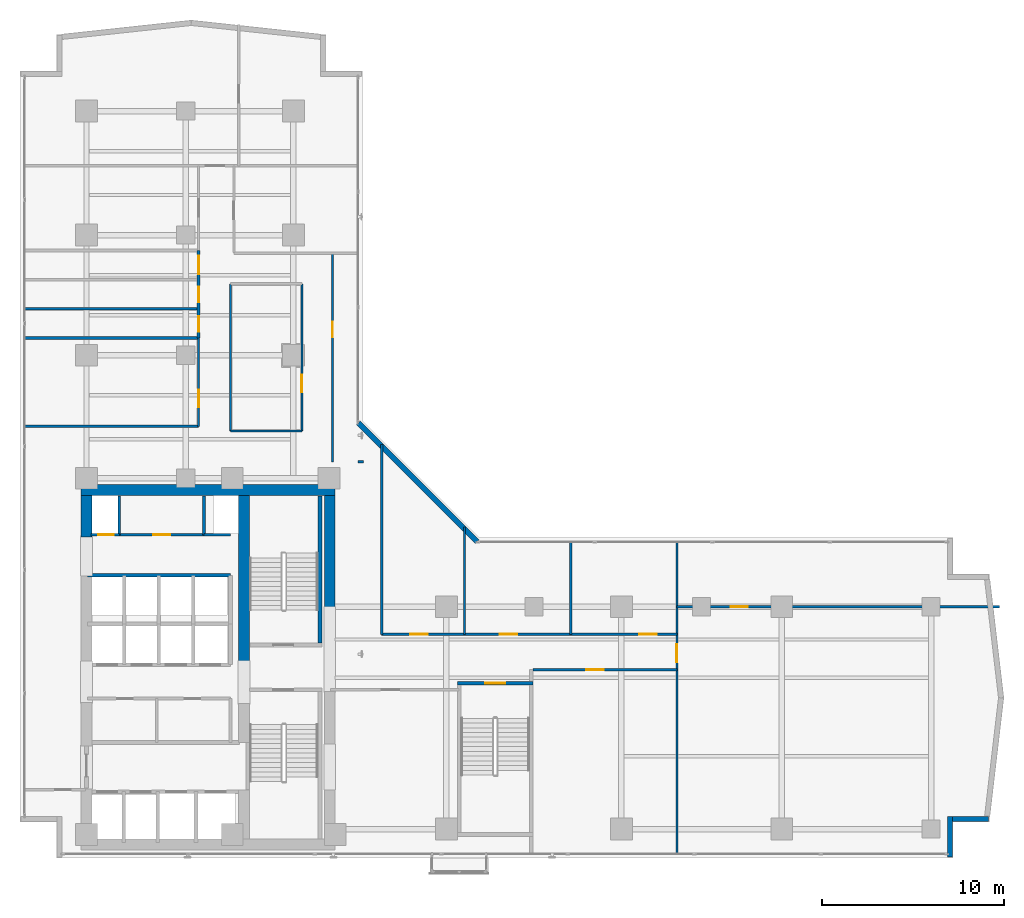
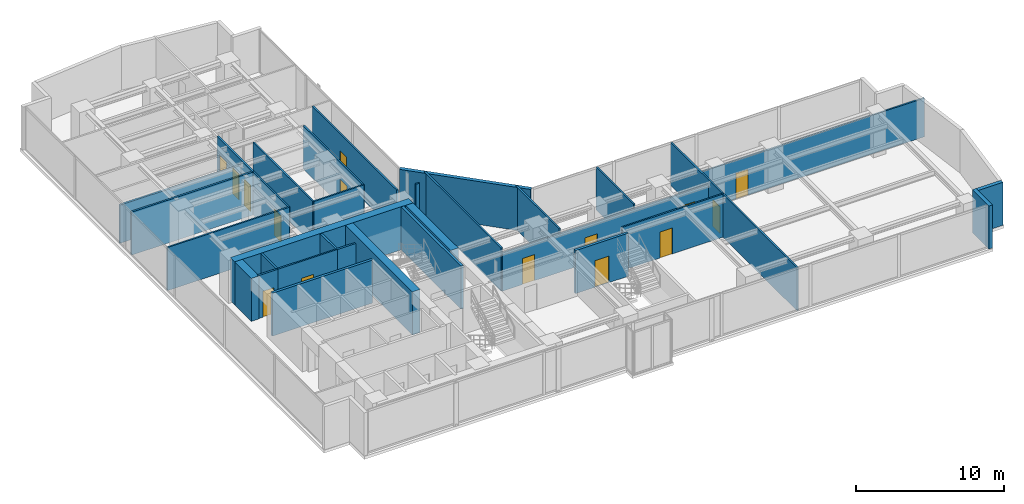
# One storey, part 20 of 24: 32 walls, 15 doors, 15 openings.
"""IFC4 building model written with IfcOpenShell, lengths in metres."""

from ifc_helpers import new_model, si_unit, direction, frame, frame_2d, origin, place, context, subcontext, project, spatial, rectangle, extrude, material, layer, layer_set, type_object, element, fill, save


model = new_model("IFC4")

# Units and contexts
model_context = context("Model", 3, precision=1e-05, world=origin(), true_north=direction((0.0, 1.0)))
body_context = subcontext(model_context, "Body", "Model", "MODEL_VIEW")
ifc_project = project(units=[si_unit("LENGTHUNIT", "METRE"), si_unit("AREAUNIT", "SQUARE_METRE"), si_unit("VOLUMEUNIT", "CUBIC_METRE"), si_unit("PLANEANGLEUNIT", "RADIAN"), si_unit("MASSUNIT", "GRAM", prefix="KILO")], contexts=[model_context])

# Site, building, storey
site_placement = place(None, origin())
site = spatial("IfcSite", under=ifc_project, at=site_placement, CompositionType="ELEMENT")
building_placement = place(site_placement, origin())
building = spatial("IfcBuilding", under=site, at=building_placement, Name="Kolvaren Waterfront Exchange", CompositionType="ELEMENT")
storey_placement = place(building_placement, frame((0.0, 0.0, 153.800048828125)))
storey = spatial("IfcBuildingStorey", under=building, at=storey_placement, Name="L39", CompositionType="ELEMENT", Elevation=153.800048828125)

# Walls
ifc_material_1 = material(Name="Precast concrete C40/50", Category="concrete")
ifc_layer_1 = layer(ifc_material_1, 0.280029296875, Name="Precast concrete C40/50")
ifc_layer_set_1 = layer_set([ifc_layer_1], Name="Precast concrete C40/50")
wall_type_1 = type_object("IfcWallType", Name="ARC-EXT-TERR-280", PredefinedType="SOLIDWALL", material=ifc_layer_set_1)
wall_1_placement = place(storey_placement, frame((54.840087890625, 3.659912109375, 0.0), z_axis=(0.0, 0.0, 1.0), x_axis=(0.0, 1.0, 0.0)))
element("IfcWall", 1, at=wall_1_placement, inside=storey, type_object=wall_type_1, Name="L39 notched corner spandrel pier SE-A", PredefinedType="SOLIDWALL", context=body_context, shape_type="SweptSolid", body=[
    extrude(rectangle(XDim=2.239990234375, YDim=0.280029296875, at=frame_2d((1.1201171875, 0.0))), origin(), (0.0, 0.0, 1.0), 3.56005859375),
])
wall_2_placement = place(storey_placement, frame((54.97998046875, 5.760009765625, 0.0), z_axis=(0.0, 0.0, 1.0), x_axis=(1.0, 0.0, 0.0)))
element("IfcWall", 2, at=wall_2_placement, inside=storey, type_object=wall_type_1, Name="L39 notched corner spandrel pier SE-B", PredefinedType="SOLIDWALL", context=body_context, shape_type="SweptSolid", body=[
    extrude(rectangle(XDim=1.9599609375, YDim=0.280029296875, at=frame_2d((0.97998046875, 0.0))), origin(), (0.0, 0.0, 1.0), 3.56005859375),
])
wall_3_placement = place(storey_placement, frame((28.885009765625, 20.97509765625, 0.0), z_axis=(0.0, 0.0, 1.0), x_axis=(-0.707106781187, 0.707106781187, 0.0)))
element("IfcWall", 3, at=wall_3_placement, inside=storey, type_object=wall_type_1, Name="L39 notched corner spandrel pier ELBOW", PredefinedType="SOLIDWALL", context=body_context, shape_type="SweptSolid", body=[
    extrude(rectangle(XDim=9.20654296875, YDim=0.280029296875, at=frame_2d((4.603271484375, 0.0))), origin(), (0.0, 0.0, 1.0), 3.56005859375),
])

# Wall, opening, door
ifc_material_2 = material(Name="Acoustic gypsum steel stud", Category="steel")
ifc_layer_2 = layer(ifc_material_2, 0.125, Name="Acoustic gypsum steel stud")
ifc_layer_set_2 = layer_set([ifc_layer_2], Name="Acoustic gypsum steel stud")
wall_type_2 = type_object("IfcWallType", Name="ARC-PART-125", PredefinedType="PARTITIONING", material=ifc_layer_set_2)
wall_4_placement = place(storey_placement, frame((9.25, 21.35009765625, 0.0), z_axis=(0.0, 0.0, 1.0), x_axis=(1.0, 0.0, 0.0)))
wall_4 = element("IfcWall", 4, at=wall_4_placement, inside=storey, type_object=wall_type_2, Name="L39 interior wall PW-L39-SVC-EX-S", PredefinedType="PARTITIONING", context=body_context, shape_type="SweptSolid", body=[
    extrude(rectangle(XDim=4.64990234375, YDim=0.125, at=frame_2d((2.324951171875, 0.0))), origin(), (0.0, 0.0, 1.0), 3.56005859375),
])
opening_1_placement = place(wall_4_placement, frame((1.85009765625, 0.0, 0.0)))
opening_1 = element("IfcOpeningElement", 5, at=opening_1_placement, cuts=wall_4, Name="Opening D02", PredefinedType="OPENING", context=body_context, shape_type="SweptSolid", body=[
    extrude(rectangle(XDim=0.949951171875, YDim=2.14990234375, at=frame_2d((0.47509765625, 1.074951171875))), frame((0.0, 0.072509765625, 0.0), z_axis=(0.0, -1.0, 0.0), x_axis=(1.0, 0.0, 0.0)), (0.0, 0.0, 1.0), 0.14501953125),
])
ifc_material_3 = material(Name="Oak veneer acoustic timber", Category="wood")
door_type_1 = type_object("IfcDoorType", Name="ARC-DR-950", OperationType="NOTDEFINED", PredefinedType="DOOR", material=ifc_material_3)
door_1_placement = place(opening_1_placement, origin())
door_1 = element("IfcDoor", 6, at=door_1_placement, inside=storey, type_object=door_type_1, Name="L39 door DR-L39-SVC-DR-1 (D02)", OperationType="SINGLE_SWING_RIGHT", OverallHeight=2.14990234375, OverallWidth=0.949951171875, PredefinedType="DOOR", context=body_context, shape_type="SweptSolid", body=[
    extrude(rectangle(XDim=0.949951171875, YDim=2.14990234375, at=frame_2d((0.47509765625, 1.074951171875))), frame((0.0, 0.02490234375, 0.0), z_axis=(0.0, -1.0, 0.0), x_axis=(1.0, 0.0, 0.0)), (0.0, 0.0, 1.0), 0.050048828125),
])
fill(opening_1, door_1)

# Walls
wall_5_placement = place(storey_placement, frame((15.35009765625, 27.050048828125, 0.0), z_axis=(0.0, 0.0, 1.0), x_axis=(1.0, 0.0, 0.0)))
element("IfcWall", 7, at=wall_5_placement, inside=storey, type_object=wall_type_2, Name="L39 interior wall PW-L39-ISL-S", PredefinedType="PARTITIONING", context=body_context, shape_type="SweptSolid", body=[
    extrude(rectangle(XDim=3.919921875, YDim=0.125, at=frame_2d((1.9599609375, 0.0))), origin(), (0.0, 0.0, 1.0), 3.56005859375),
])
wall_6_placement = place(storey_placement, frame((15.35009765625, 27.050048828125, 0.0), z_axis=(0.0, 0.0, 1.0), x_axis=(0.0, 1.0, 0.0)))
element("IfcWall", 8, at=wall_6_placement, inside=storey, type_object=wall_type_2, Name="L39 interior wall PW-L39-ISL-W", PredefinedType="PARTITIONING", context=body_context, shape_type="SweptSolid", body=[
    extrude(rectangle(XDim=8.070068359375, YDim=0.125, at=frame_2d((4.03515625, 0.0))), origin(), (0.0, 0.0, 1.0), 3.56005859375),
])

# Wall, opening, door
wall_7_placement = place(storey_placement, frame((19.27001953125, 27.050048828125, 0.0), z_axis=(0.0, 0.0, 1.0), x_axis=(0.0, 1.0, 0.0)))
wall_7 = element("IfcWall", 9, at=wall_7_placement, inside=storey, type_object=wall_type_2, Name="L39 interior wall PW-L39-ISL-E", PredefinedType="PARTITIONING", context=body_context, shape_type="SweptSolid", body=[
    extrude(rectangle(XDim=8.070068359375, YDim=0.125, at=frame_2d((4.03515625, 0.0))), origin(), (0.0, 0.0, 1.0), 3.56005859375),
])
opening_2_placement = place(wall_7_placement, frame((2.126708984375, 0.0, 0.0)))
opening_2 = element("IfcOpeningElement", 10, at=opening_2_placement, cuts=wall_7, Name="Opening D02", PredefinedType="OPENING", context=body_context, shape_type="SweptSolid", body=[
    extrude(rectangle(XDim=0.949951171875, YDim=2.14990234375, at=frame_2d((0.47509765625, 1.074951171875))), frame((0.0, 0.072509765625, 0.0), z_axis=(0.0, -1.0, 0.0), x_axis=(1.0, 0.0, 0.0)), (0.0, 0.0, 1.0), 0.14501953125),
])
door_2_placement = place(opening_2_placement, origin())
door_2 = element("IfcDoor", 11, at=door_2_placement, inside=storey, type_object=door_type_1, Name="L39 door DR-L39-ISL-D (D02)", OperationType="SINGLE_SWING_LEFT", OverallHeight=2.14990234375, OverallWidth=0.949951171875, PredefinedType="DOOR", context=body_context, shape_type="SweptSolid", body=[
    extrude(rectangle(XDim=0.949951171875, YDim=2.14990234375, at=frame_2d((0.47509765625, 1.074951171875))), frame((0.0, 0.02490234375, 0.0), z_axis=(0.0, -1.0, 0.0), x_axis=(1.0, 0.0, 0.0)), (0.0, 0.0, 1.0), 0.050048828125),
])
fill(opening_2, door_2)

wall_8_placement = place(storey_placement, frame((13.60009765625, 27.300048828125, 0.0), z_axis=(0.0, 0.0, 1.0), x_axis=(0.0, 1.0, 0.0)))
wall_8 = element("IfcWall", 12, at=wall_8_placement, inside=storey, type_object=wall_type_2, Name="L39 interior wall PW-L39-PREWC-E", PredefinedType="PARTITIONING", context=body_context, shape_type="SweptSolid", body=[
    extrude(rectangle(XDim=4.849853515625, YDim=0.125, at=frame_2d((2.4248046875, 0.0))), origin(), (0.0, 0.0, 1.0), 3.56005859375),
])
opening_3_placement = place(wall_8_placement, frame((1.050048828125, 0.0, 0.0)))
opening_3 = element("IfcOpeningElement", 13, at=opening_3_placement, cuts=wall_8, Name="Opening D02", PredefinedType="OPENING", context=body_context, shape_type="SweptSolid", body=[
    extrude(rectangle(XDim=0.949951171875, YDim=2.14990234375, at=frame_2d((0.47509765625, 1.074951171875))), frame((0.0, 0.072509765625, 0.0), z_axis=(0.0, -1.0, 0.0), x_axis=(1.0, 0.0, 0.0)), (0.0, 0.0, 1.0), 0.14501953125),
])
door_3_placement = place(opening_3_placement, origin())
door_3 = element("IfcDoor", 14, at=door_3_placement, inside=storey, type_object=door_type_1, Name="L39 door DR-L39-PREWC-D (D02)", OperationType="SINGLE_SWING_RIGHT", OverallHeight=2.14990234375, OverallWidth=0.949951171875, PredefinedType="DOOR", context=body_context, shape_type="SweptSolid", body=[
    extrude(rectangle(XDim=0.949951171875, YDim=2.14990234375, at=frame_2d((0.47509765625, 1.074951171875))), frame((0.0, 0.02490234375, 0.0), z_axis=(0.0, -1.0, 0.0), x_axis=(1.0, 0.0, 0.0)), (0.0, 0.0, 1.0), 0.050048828125),
])
fill(opening_3, door_3)

# Wall
wall_9_placement = place(storey_placement, frame((4.0400390625, 27.300048828125, 0.0), z_axis=(0.0, 0.0, 1.0), x_axis=(1.0, 0.0, 0.0)))
element("IfcWall", 15, at=wall_9_placement, inside=storey, type_object=wall_type_2, Name="L39 interior wall PW-L39-PREWC-S", PredefinedType="PARTITIONING", context=body_context, shape_type="SweptSolid", body=[
    extrude(rectangle(XDim=9.56005859375, YDim=0.125, at=frame_2d((4.780029296875, 0.0))), origin(), (0.0, 0.0, 1.0), 3.56005859375),
])

# Wall, opening, door
wall_10_placement = place(storey_placement, frame((20.949951171875, 25.35009765625, 0.0), z_axis=(0.0, 0.0, 1.0), x_axis=(0.0, 1.0, 0.0)))
wall_10 = element("IfcWall", 16, at=wall_10_placement, inside=storey, type_object=wall_type_2, Name="L39 interior wall PW-L39-RFLANK-W", PredefinedType="PARTITIONING", context=body_context, shape_type="SweptSolid", body=[
    extrude(rectangle(XDim=11.449951171875, YDim=0.125, at=frame_2d((5.72509765625, 0.0))), origin(), (0.0, 0.0, 1.0), 3.56005859375),
])
opening_4_placement = place(wall_10_placement, frame((6.834716796875, 0.0, 0.0)))
opening_4 = element("IfcOpeningElement", 17, at=opening_4_placement, cuts=wall_10, Name="Opening D01", PredefinedType="OPENING", context=body_context, shape_type="SweptSolid", body=[
    extrude(rectangle(XDim=0.85009765625, YDim=2.14990234375, at=frame_2d((0.425048828125, 1.074951171875))), frame((0.0, 0.072509765625, 0.0), z_axis=(0.0, -1.0, 0.0), x_axis=(1.0, 0.0, 0.0)), (0.0, 0.0, 1.0), 0.14501953125),
])
ifc_material_4 = material(Name="Oak veneer timber leaf", Category="wood")
door_type_2 = type_object("IfcDoorType", Name="ARC-DR-900", OperationType="NOTDEFINED", PredefinedType="DOOR", material=ifc_material_4)
door_4_placement = place(opening_4_placement, origin())
door_4 = element("IfcDoor", 18, at=door_4_placement, inside=storey, type_object=door_type_2, Name="L39 door DR-L39-RFLANK-D (D01)", OperationType="SINGLE_SWING_RIGHT", OverallHeight=2.14990234375, OverallWidth=0.85009765625, PredefinedType="DOOR", context=body_context, shape_type="SweptSolid", body=[
    extrude(rectangle(XDim=0.85009765625, YDim=2.14990234375, at=frame_2d((0.425048828125, 1.074951171875))), frame((0.0, 0.02490234375, 0.0), z_axis=(0.0, -1.0, 0.0), x_axis=(1.0, 0.0, 0.0)), (0.0, 0.0, 1.0), 0.050048828125),
])
fill(opening_4, door_4)

# Wall
wall_11_placement = place(storey_placement, frame((22.64990234375, 25.35009765625, 0.0), z_axis=(0.0, 0.0, 1.0), x_axis=(-1.0, 0.0, 0.0)))
element("IfcWall", 19, at=wall_11_placement, inside=storey, type_object=wall_type_2, Name="L39 interior wall PW-L39-RFLANK-S", PredefinedType="PARTITIONING", context=body_context, shape_type="SweptSolid", body=[
    extrude(rectangle(XDim=0.289794921875, YDim=0.125, at=frame_2d((0.14501953125, 0.0))), origin(), (0.0, 0.0, 1.0), 3.56005859375),
])

# Wall, opening, door
wall_12_placement = place(storey_placement, frame((31.949951171875, 13.949951171875, 0.0), z_axis=(0.0, 0.0, 1.0), x_axis=(1.0, 0.0, 0.0)))
wall_12 = element("IfcWall", 20, at=wall_12_placement, inside=storey, type_object=wall_type_2, Name="L39 interior wall PW-L39-ES-CORR", PredefinedType="PARTITIONING", context=body_context, shape_type="SweptSolid", body=[
    extrude(rectangle(XDim=7.900146484375, YDim=0.125, at=frame_2d((3.9501953125, 0.0))), origin(), (0.0, 0.0, 1.0), 3.56005859375),
])
opening_5_placement = place(wall_12_placement, frame((2.9296875, 0.0, 0.0)))
opening_5 = element("IfcOpeningElement", 21, at=opening_5_placement, cuts=wall_12, Name="Opening D02", PredefinedType="OPENING", context=body_context, shape_type="SweptSolid", body=[
    extrude(rectangle(XDim=0.949951171875, YDim=2.14990234375, at=frame_2d((0.47509765625, 1.074951171875))), frame((0.0, 0.072509765625, 0.0), z_axis=(0.0, -1.0, 0.0), x_axis=(1.0, 0.0, 0.0)), (0.0, 0.0, 1.0), 0.14501953125),
])
door_5_placement = place(opening_5_placement, origin())
door_5 = element("IfcDoor", 22, at=door_5_placement, inside=storey, type_object=door_type_1, Name="L39 door DR-L39-ES-D-1 (D02)", OperationType="SINGLE_SWING_LEFT", OverallHeight=2.14990234375, OverallWidth=0.949951171875, PredefinedType="DOOR", context=body_context, shape_type="SweptSolid", body=[
    extrude(rectangle(XDim=0.949951171875, YDim=2.14990234375, at=frame_2d((0.47509765625, 1.074951171875))), frame((0.0, 0.02490234375, 0.0), z_axis=(0.0, -1.0, 0.0), x_axis=(1.0, 0.0, 0.0)), (0.0, 0.0, 1.0), 0.050048828125),
])
fill(opening_5, door_5)

wall_13_placement = place(storey_placement, frame((39.85009765625, 3.840087890625, 0.0), z_axis=(0.0, 0.0, 1.0), x_axis=(0.0, 1.0, 0.0)))
wall_13 = element("IfcWall", 23, at=wall_13_placement, inside=storey, type_object=wall_type_2, Name="L39 interior wall PW-L39-ETIP-W", PredefinedType="PARTITIONING", context=body_context, shape_type="SweptSolid", body=[
    extrude(rectangle(XDim=17.119873046875, YDim=0.125, at=frame_2d((8.56005859375, 0.0))), origin(), (0.0, 0.0, 1.0), 3.56005859375),
])
opening_6_placement = place(wall_13_placement, frame((10.510009765625, 0.0, 0.0)))
opening_6 = element("IfcOpeningElement", 24, at=opening_6_placement, cuts=wall_13, Name="Opening D03", PredefinedType="OPENING", context=body_context, shape_type="SweptSolid", body=[
    extrude(rectangle(XDim=1.0, YDim=2.199951171875, at=frame_2d((0.5, 1.10009765625))), frame((0.0, 0.072509765625, 0.0), z_axis=(0.0, -1.0, 0.0), x_axis=(1.0, 0.0, 0.0)), (0.0, 0.0, 1.0), 0.14501953125),
])
ifc_material_5 = material(Name="Oak veneer accessible timber", Category="wood")
door_type_3 = type_object("IfcDoorType", Name="ARC-DR-1000", OperationType="NOTDEFINED", PredefinedType="DOOR", material=ifc_material_5)
door_6_placement = place(opening_6_placement, origin())
door_6 = element("IfcDoor", 25, at=door_6_placement, inside=storey, type_object=door_type_3, Name="L39 door DR-L39-ETIP1-D (D03)", OperationType="SINGLE_SWING_RIGHT", OverallHeight=2.199951171875, OverallWidth=1.0, PredefinedType="DOOR", context=body_context, shape_type="SweptSolid", body=[
    extrude(rectangle(XDim=1.0, YDim=2.199951171875, at=frame_2d((0.5, 1.10009765625))), frame((0.0, 0.02490234375, 0.0), z_axis=(0.0, -1.0, 0.0), x_axis=(1.0, 0.0, 0.0)), (0.0, 0.0, 1.0), 0.050048828125),
])
fill(opening_6, door_6)

wall_14_placement = place(storey_placement, frame((39.85009765625, 17.39990234375, 0.0), z_axis=(0.0, 0.0, 1.0), x_axis=(1.0, 0.0, 0.0)))
wall_14 = element("IfcWall", 26, at=wall_14_placement, inside=storey, type_object=wall_type_2, Name="L39 interior wall PW-L39-ETIP-MID", PredefinedType="PARTITIONING", context=body_context, shape_type="SweptSolid", body=[
    extrude(rectangle(XDim=17.7099609375, YDim=0.125, at=frame_2d((8.85498046875, 0.0))), origin(), (0.0, 0.0, 1.0), 3.199951171875),
])
opening_7_placement = place(wall_14_placement, frame((2.949951171875, 0.0, 0.0)))
opening_7 = element("IfcOpeningElement", 27, at=opening_7_placement, cuts=wall_14, Name="Opening D02", PredefinedType="OPENING", context=body_context, shape_type="SweptSolid", body=[
    extrude(rectangle(XDim=0.949951171875, YDim=2.14990234375, at=frame_2d((0.47509765625, 1.074951171875))), frame((0.0, 0.072509765625, 0.0), z_axis=(0.0, -1.0, 0.0), x_axis=(1.0, 0.0, 0.0)), (0.0, 0.0, 1.0), 0.14501953125),
])
door_7_placement = place(opening_7_placement, origin())
door_7 = element("IfcDoor", 28, at=door_7_placement, inside=storey, type_object=door_type_1, Name="L39 door DR-L39-ETIP2-D (D02)", OperationType="SINGLE_SWING_LEFT", OverallHeight=2.14990234375, OverallWidth=0.949951171875, PredefinedType="DOOR", context=body_context, shape_type="SweptSolid", body=[
    extrude(rectangle(XDim=0.949951171875, YDim=2.14990234375, at=frame_2d((0.47509765625, 1.074951171875))), frame((0.0, 0.02490234375, 0.0), z_axis=(0.0, -1.0, 0.0), x_axis=(1.0, 0.0, 0.0)), (0.0, 0.0, 1.0), 0.050048828125),
])
fill(opening_7, door_7)

# Wall
wall_15_placement = place(storey_placement, frame((23.64990234375, 15.889892578125, 0.0), z_axis=(0.0, 0.0, 1.0), x_axis=(0.0, 1.0, 0.0)))
element("IfcWall", 29, at=wall_15_placement, inside=storey, type_object=wall_type_2, Name="L39 interior wall PW-L39-EN-W0", PredefinedType="PARTITIONING", context=body_context, shape_type="SweptSolid", body=[
    extrude(rectangle(XDim=10.420166015625, YDim=0.125, at=frame_2d((5.2099609375, 0.0))), origin(), (0.0, 0.0, 1.0), 3.56005859375),
])

# Wall, openings, doors
wall_16_placement = place(storey_placement, frame((23.64990234375, 15.889892578125, 0.0), z_axis=(0.0, 0.0, 1.0), x_axis=(1.0, 0.0, 0.0)))
wall_16 = element("IfcWall", 30, at=wall_16_placement, inside=storey, type_object=wall_type_2, Name="L39 interior wall PW-L39-EN-CORR", PredefinedType="PARTITIONING", context=body_context, shape_type="SweptSolid", body=[
    extrude(rectangle(XDim=16.2001953125, YDim=0.125, at=frame_2d((8.10009765625, 0.0))), origin(), (0.0, 0.0, 1.0), 3.159912109375),
])
opening_8_placement = place(wall_16_placement, frame((1.57470703125, 0.0, 0.0)))
opening_8 = element("IfcOpeningElement", 31, at=opening_8_placement, cuts=wall_16, Name="Opening D02", PredefinedType="OPENING", context=body_context, shape_type="SweptSolid", body=[
    extrude(rectangle(XDim=0.949951171875, YDim=2.14990234375, at=frame_2d((0.47509765625, 1.074951171875))), frame((0.0, 0.072509765625, 0.0), z_axis=(0.0, -1.0, 0.0), x_axis=(1.0, 0.0, 0.0)), (0.0, 0.0, 1.0), 0.14501953125),
])
opening_9_placement = place(wall_16_placement, frame((6.487548828125, 0.0, 0.0)))
opening_9 = element("IfcOpeningElement", 32, at=opening_9_placement, cuts=wall_16, Name="Opening D02", PredefinedType="OPENING", context=body_context, shape_type="SweptSolid", body=[
    extrude(rectangle(XDim=0.949951171875, YDim=2.14990234375, at=frame_2d((0.47509765625, 1.074951171875))), frame((0.0, 0.072509765625, 0.0), z_axis=(0.0, -1.0, 0.0), x_axis=(1.0, 0.0, 0.0)), (0.0, 0.0, 1.0), 0.14501953125),
])
opening_10_placement = place(wall_16_placement, frame((14.146484375, 0.0, 0.0)))
opening_10 = element("IfcOpeningElement", 33, at=opening_10_placement, cuts=wall_16, Name="Opening D02", PredefinedType="OPENING", context=body_context, shape_type="SweptSolid", body=[
    extrude(rectangle(XDim=0.949951171875, YDim=2.14990234375, at=frame_2d((0.47509765625, 1.074951171875))), frame((0.0, 0.072509765625, 0.0), z_axis=(0.0, -1.0, 0.0), x_axis=(1.0, 0.0, 0.0)), (0.0, 0.0, 1.0), 0.14501953125),
])
door_8_placement = place(opening_8_placement, origin())
door_8 = element("IfcDoor", 34, at=door_8_placement, inside=storey, type_object=door_type_1, Name="L39 door DR-L39-EN-D-1 (D02)", OperationType="SINGLE_SWING_RIGHT", OverallHeight=2.14990234375, OverallWidth=0.949951171875, PredefinedType="DOOR", context=body_context, shape_type="SweptSolid", body=[
    extrude(rectangle(XDim=0.949951171875, YDim=2.14990234375, at=frame_2d((0.47509765625, 1.074951171875))), frame((0.0, 0.02490234375, 0.0), z_axis=(0.0, -1.0, 0.0), x_axis=(1.0, 0.0, 0.0)), (0.0, 0.0, 1.0), 0.050048828125),
])
fill(opening_8, door_8)
door_9_placement = place(opening_9_placement, origin())
door_9 = element("IfcDoor", 35, at=door_9_placement, inside=storey, type_object=door_type_1, Name="L39 door DR-L39-EN-D-2 (D02)", OperationType="SINGLE_SWING_LEFT", OverallHeight=2.14990234375, OverallWidth=0.949951171875, PredefinedType="DOOR", context=body_context, shape_type="SweptSolid", body=[
    extrude(rectangle(XDim=0.949951171875, YDim=2.14990234375, at=frame_2d((0.47509765625, 1.074951171875))), frame((0.0, 0.02490234375, 0.0), z_axis=(0.0, -1.0, 0.0), x_axis=(1.0, 0.0, 0.0)), (0.0, 0.0, 1.0), 0.050048828125),
])
fill(opening_9, door_9)
door_10_placement = place(opening_10_placement, origin())
door_10 = element("IfcDoor", 36, at=door_10_placement, inside=storey, type_object=door_type_1, Name="L39 door DR-L39-EN-D-3 (D02)", OperationType="SINGLE_SWING_RIGHT", OverallHeight=2.14990234375, OverallWidth=0.949951171875, PredefinedType="DOOR", context=body_context, shape_type="SweptSolid", body=[
    extrude(rectangle(XDim=0.949951171875, YDim=2.14990234375, at=frame_2d((0.47509765625, 1.074951171875))), frame((0.0, 0.02490234375, 0.0), z_axis=(0.0, -1.0, 0.0), x_axis=(1.0, 0.0, 0.0)), (0.0, 0.0, 1.0), 0.050048828125),
])
fill(opening_10, door_10)

# Walls
wall_17_placement = place(storey_placement, frame((28.18994140625, 15.889892578125, 0.0), z_axis=(0.0, 0.0, 1.0), x_axis=(0.0, 1.0, 0.0)))
element("IfcWall", 37, at=wall_17_placement, inside=storey, type_object=wall_type_2, Name="L39 interior wall PW-L39-EN-DIV-1", PredefinedType="PARTITIONING", context=body_context, shape_type="SweptSolid", body=[
    extrude(rectangle(XDim=5.880126953125, YDim=0.125, at=frame_2d((2.93994140625, 0.0))), origin(), (0.0, 0.0, 1.0), 3.56005859375),
])
wall_18_placement = place(storey_placement, frame((34.02001953125, 15.889892578125, 0.0), z_axis=(0.0, 0.0, 1.0), x_axis=(0.0, 1.0, 0.0)))
element("IfcWall", 38, at=wall_18_placement, inside=storey, type_object=wall_type_2, Name="L39 interior wall PW-L39-EN-DIV-2", PredefinedType="PARTITIONING", context=body_context, shape_type="SweptSolid", body=[
    extrude(rectangle(XDim=5.070068359375, YDim=0.125, at=frame_2d((2.53515625, 0.0))), origin(), (0.0, 0.0, 1.0), 3.56005859375),
])
ifc_material_6 = material(Name="Gypsum fireboard steel stud", Category="steel")
ifc_layer_3 = layer(ifc_material_6, 0.14990234375, Name="Gypsum fireboard steel stud")
ifc_layer_set_3 = layer_set([ifc_layer_3], Name="Gypsum fireboard steel stud")
wall_type_3 = type_object("IfcWallType", Name="ARC-PART-150", PredefinedType="PARTITIONING", material=ifc_layer_set_3)
for number, where, z_axis, x_axis, name in (
    (39, (9.25, 21.35009765625, 0.0), (0.0, 0.0, 1.0), (0.0, 1.0, 0.0), "L39 interior wall PW-L39-SVC-R1"),
    (40, (13.89990234375, 21.35009765625, 0.0), (0.0, 0.0, 1.0), (0.0, 1.0, 0.0), "L39 interior wall PW-L39-SVC-R2"),
):
    element("IfcWall", number, at=place(storey_placement, frame(where, z_axis=z_axis, x_axis=x_axis)), inside=storey, type_object=wall_type_3, Name=name, PredefinedType="PARTITIONING", context=body_context, shape_type="SweptSolid", body=[
        extrude(rectangle(XDim=2.1298828125, YDim=0.14990234375, at=frame_2d((1.06494140625, 0.0))), origin(), (0.0, 0.0, 1.0), 3.56005859375),
    ])

# Wall, opening, door
wall_19_placement = place(storey_placement, frame((7.699951171875, 21.35009765625, 0.0), z_axis=(0.0, 0.0, 1.0), x_axis=(1.0, 0.0, 0.0)))
wall_19 = element("IfcWall", 41, at=wall_19_placement, inside=storey, type_object=wall_type_3, Name="L39 interior wall PW-L39-SVC-RE-S", PredefinedType="PARTITIONING", context=body_context, shape_type="SweptSolid", body=[
    extrude(rectangle(XDim=1.550048828125, YDim=0.14990234375, at=frame_2d((0.77490234375, 0.0))), origin(), (0.0, 0.0, 1.0), 3.56005859375),
])
opening_11_placement = place(wall_19_placement, frame((0.389892578125, 0.0, 0.0)))
opening_11 = element("IfcOpeningElement", 42, at=opening_11_placement, cuts=wall_19, Name="Opening FD1", PredefinedType="OPENING", context=body_context, shape_type="SweptSolid", body=[
    extrude(rectangle(XDim=0.85009765625, YDim=2.14990234375, at=frame_2d((0.425048828125, 1.074951171875))), frame((0.0, 0.0849609375, 0.0), z_axis=(0.0, -1.0, 0.0), x_axis=(1.0, 0.0, 0.0)), (0.0, 0.0, 1.0), 0.169921875),
])
ifc_material_7 = material(Name="Pressed steel fire leaf", Category="steel")
door_type_4 = type_object("IfcDoorType", Name="ARC-FD-900", OperationType="NOTDEFINED", PredefinedType="DOOR", material=ifc_material_7)
door_11_placement = place(opening_11_placement, origin())
door_11 = element("IfcDoor", 43, at=door_11_placement, inside=storey, type_object=door_type_4, Name="L39 door DR-L39-RISER-E-DR (FD1)", OperationType="SINGLE_SWING_LEFT", OverallHeight=2.14990234375, OverallWidth=0.85009765625, PredefinedType="DOOR", context=body_context, shape_type="SweptSolid", body=[
    extrude(rectangle(XDim=0.85009765625, YDim=2.14990234375, at=frame_2d((0.425048828125, 1.074951171875))), frame((0.0, 0.02490234375, 0.0), z_axis=(0.0, -1.0, 0.0), x_axis=(1.0, 0.0, 0.0)), (0.0, 0.0, 1.0), 0.050048828125),
])
fill(opening_11, door_11)

# Walls
wall_20_placement = place(storey_placement, frame((13.89990234375, 21.35009765625, 0.0), z_axis=(0.0, 0.0, 1.0), x_axis=(1.0, 0.0, 0.0)))
element("IfcWall", 44, at=wall_20_placement, inside=storey, type_object=wall_type_3, Name="L39 interior wall PW-L39-SVC-RP-S", PredefinedType="PARTITIONING", context=body_context, shape_type="SweptSolid", body=[
    extrude(rectangle(XDim=1.4501953125, YDim=0.14990234375, at=frame_2d((0.72509765625, 0.0))), origin(), (0.0, 0.0, 1.0), 3.56005859375),
])
ifc_material_8 = material(Name="Moisture-resistant gypsum stud")
ifc_layer_4 = layer(ifc_material_8, 0.14990234375, Name="Moisture-resistant gypsum stud")
ifc_layer_set_4 = layer_set([ifc_layer_4], Name="Moisture-resistant gypsum stud")
wall_type_4 = type_object("IfcWallType", Name="ARC-PLUMB-150", PredefinedType="PLUMBINGWALL", material=ifc_layer_set_4)
wall_21_placement = place(storey_placement, frame((4.0400390625, 32.14990234375, 0.0), z_axis=(0.0, 0.0, 1.0), x_axis=(1.0, 0.0, 0.0)))
element("IfcWall", 45, at=wall_21_placement, inside=storey, type_object=wall_type_4, Name="L39 interior wall PW-L39-WC-0", PredefinedType="PLUMBINGWALL", context=body_context, shape_type="SweptSolid", body=[
    extrude(rectangle(XDim=9.56005859375, YDim=0.14990234375, at=frame_2d((4.780029296875, 0.0))), origin(), (0.0, 0.0, 1.0), 3.56005859375),
])

# Wall, openings, doors
wall_22_placement = place(storey_placement, frame((13.60009765625, 32.14990234375, 0.0), z_axis=(0.0, 0.0, 1.0), x_axis=(0.0, 1.0, 0.0)))
wall_22 = element("IfcWall", 46, at=wall_22_placement, inside=storey, type_object=wall_type_4, Name="L39 interior wall PW-L39-WC-E", PredefinedType="PLUMBINGWALL", context=body_context, shape_type="SweptSolid", body=[
    extrude(rectangle(XDim=4.800048828125, YDim=0.14990234375, at=frame_2d((2.39990234375, 0.0))), origin(), (0.0, 0.0, 1.0), 3.56005859375),
])
opening_12_placement = place(wall_22_placement, frame((0.35009765625, 0.0, 0.0)))
opening_12 = element("IfcOpeningElement", 47, at=opening_12_placement, cuts=wall_22, Name="Opening D01", PredefinedType="OPENING", context=body_context, shape_type="SweptSolid", body=[
    extrude(rectangle(XDim=0.85009765625, YDim=2.14990234375, at=frame_2d((0.425048828125, 1.074951171875))), frame((0.0, 0.0849609375, 0.0), z_axis=(0.0, -1.0, 0.0), x_axis=(1.0, 0.0, 0.0)), (0.0, 0.0, 1.0), 0.169921875),
])
opening_13_placement = place(wall_22_placement, frame((1.949951171875, 0.0, 0.0)))
opening_13 = element("IfcOpeningElement", 48, at=opening_13_placement, cuts=wall_22, Name="Opening D01", PredefinedType="OPENING", context=body_context, shape_type="SweptSolid", body=[
    extrude(rectangle(XDim=0.85009765625, YDim=2.14990234375, at=frame_2d((0.425048828125, 1.074951171875))), frame((0.0, 0.0849609375, 0.0), z_axis=(0.0, -1.0, 0.0), x_axis=(1.0, 0.0, 0.0)), (0.0, 0.0, 1.0), 0.169921875),
])
opening_14_placement = place(wall_22_placement, frame((3.5, 0.0, 0.0)))
opening_14 = element("IfcOpeningElement", 49, at=opening_14_placement, cuts=wall_22, Name="Opening D03", PredefinedType="OPENING", context=body_context, shape_type="SweptSolid", body=[
    extrude(rectangle(XDim=1.0, YDim=2.199951171875, at=frame_2d((0.5, 1.10009765625))), frame((0.0, 0.0849609375, 0.0), z_axis=(0.0, -1.0, 0.0), x_axis=(1.0, 0.0, 0.0)), (0.0, 0.0, 1.0), 0.169921875),
])
door_12_placement = place(opening_14_placement, origin())
door_12 = element("IfcDoor", 50, at=door_12_placement, inside=storey, type_object=door_type_3, Name="L39 door DR-L39-WCA-D (D03)", OperationType="SINGLE_SWING_LEFT", OverallHeight=2.199951171875, OverallWidth=1.0, PredefinedType="DOOR", context=body_context, shape_type="SweptSolid", body=[
    extrude(rectangle(XDim=1.0, YDim=2.199951171875, at=frame_2d((0.5, 1.10009765625))), frame((0.0, 0.02490234375, 0.0), z_axis=(0.0, -1.0, 0.0), x_axis=(1.0, 0.0, 0.0)), (0.0, 0.0, 1.0), 0.050048828125),
])
fill(opening_14, door_12)
door_13_placement = place(opening_12_placement, origin())
door_13 = element("IfcDoor", 51, at=door_13_placement, inside=storey, type_object=door_type_2, Name="L39 door DR-L39-WCM-D (D01)", OperationType="SINGLE_SWING_LEFT", OverallHeight=2.14990234375, OverallWidth=0.85009765625, PredefinedType="DOOR", context=body_context, shape_type="SweptSolid", body=[
    extrude(rectangle(XDim=0.85009765625, YDim=2.14990234375, at=frame_2d((0.425048828125, 1.074951171875))), frame((0.0, 0.02490234375, 0.0), z_axis=(0.0, -1.0, 0.0), x_axis=(1.0, 0.0, 0.0)), (0.0, 0.0, 1.0), 0.050048828125),
])
fill(opening_12, door_13)
door_14_placement = place(opening_13_placement, origin())
door_14 = element("IfcDoor", 52, at=door_14_placement, inside=storey, type_object=door_type_2, Name="L39 door DR-L39-WCF-D (D01)", OperationType="SINGLE_SWING_RIGHT", OverallHeight=2.14990234375, OverallWidth=0.85009765625, PredefinedType="DOOR", context=body_context, shape_type="SweptSolid", body=[
    extrude(rectangle(XDim=0.85009765625, YDim=2.14990234375, at=frame_2d((0.425048828125, 1.074951171875))), frame((0.0, 0.02490234375, 0.0), z_axis=(0.0, -1.0, 0.0), x_axis=(1.0, 0.0, 0.0)), (0.0, 0.0, 1.0), 0.050048828125),
])
fill(opening_13, door_14)

# Walls
wall_23_placement = place(storey_placement, frame((4.0400390625, 33.75, 0.0), z_axis=(0.0, 0.0, 1.0), x_axis=(1.0, 0.0, 0.0)))
element("IfcWall", 53, at=wall_23_placement, inside=storey, type_object=wall_type_4, Name="L39 interior wall PW-L39-WC-1", PredefinedType="PLUMBINGWALL", context=body_context, shape_type="SweptSolid", body=[
    extrude(rectangle(XDim=9.56005859375, YDim=0.14990234375, at=frame_2d((4.780029296875, 0.0))), origin(), (0.0, 0.0, 1.0), 3.159912109375),
])
ifc_material_9 = material(Name="Concrete C40/50", Category="concrete")
ifc_layer_5 = layer(ifc_material_9, 0.199951171875, Name="Concrete C40/50")
ifc_layer_set_5 = layer_set([ifc_layer_5], Name="Concrete C40/50")
wall_type_5 = type_object("IfcWallType", Name="ARC-SHAFT-200", PredefinedType="PARTITIONING", material=ifc_layer_set_5)
wall_24_placement = place(storey_placement, frame((20.260009765625, 15.39990234375, 0.0), z_axis=(0.0, 0.0, 1.0), x_axis=(0.0, 1.0, 0.0)))
element("IfcWall", 54, at=wall_24_placement, inside=storey, type_object=wall_type_5, Name="L39 structural stairwell wall PW-L39-ST2-E", PredefinedType="SHEAR", context=body_context, shape_type="SweptSolid", body=[
    extrude(rectangle(XDim=8.090087890625, YDim=0.199951171875, at=frame_2d((4.044921875, 0.0))), origin(), (0.0, 0.0, 1.0), 3.56005859375),
])

# Wall, opening, door
wall_25_placement = place(storey_placement, frame((27.800048828125, 13.199951171875, 0.0), z_axis=(0.0, 0.0, 1.0), x_axis=(1.0, 0.0, 0.0)))
wall_25 = element("IfcWall", 55, at=wall_25_placement, inside=storey, type_object=wall_type_5, Name="L39 structural stairwell wall PW-L39-ST3-N", PredefinedType="SHEAR", context=body_context, shape_type="SweptSolid", body=[
    extrude(rectangle(XDim=4.159912109375, YDim=0.199951171875, at=frame_2d((2.080078125, 0.0))), origin(), (0.0, 0.0, 1.0), 3.56005859375),
])
opening_15_placement = place(wall_25_placement, frame((1.530029296875, 0.0, 0.0)))
opening_15 = element("IfcOpeningElement", 56, at=opening_15_placement, cuts=wall_25, Name="Opening FD2", PredefinedType="OPENING", context=body_context, shape_type="SweptSolid", body=[
    extrude(rectangle(XDim=1.10009765625, YDim=2.199951171875, at=frame_2d((0.550048828125, 1.10009765625))), frame((0.0, 0.10986328125, 0.0), z_axis=(0.0, -1.0, 0.0), x_axis=(1.0, 0.0, 0.0)), (0.0, 0.0, 1.0), 0.219970703125),
])
ifc_material_10 = material(Name="Pressed steel smoke-seal fire door", Category="steel")
door_type_5 = type_object("IfcDoorType", Name="ARC-FD-1100", OperationType="NOTDEFINED", PredefinedType="DOOR", material=ifc_material_10)
door_15_placement = place(opening_15_placement, frame((1.10009765625, 0.0, 0.0), z_axis=(0.0, 0.0, 1.0), x_axis=(-1.0, 0.0, 0.0)))
door_15 = element("IfcDoor", 57, at=door_15_placement, inside=storey, type_object=door_type_5, Name="L39 door DR-L39-ST3-IN (FD2)", OperationType="SINGLE_SWING_LEFT", OverallHeight=2.199951171875, OverallWidth=1.10009765625, PredefinedType="DOOR", context=body_context, shape_type="SweptSolid", body=[
    extrude(rectangle(XDim=1.10009765625, YDim=2.199951171875, at=frame_2d((0.550048828125, 1.10009765625))), frame((0.0, 0.02490234375, 0.0), z_axis=(0.0, -1.0, 0.0), x_axis=(1.0, 0.0, 0.0)), (0.0, 0.0, 1.0), 0.050048828125),
])
fill(opening_15, door_15)

# Walls
wall_26_placement = place(storey_placement, frame((7.5, 19.1201171875, 0.0), z_axis=(0.0, 0.0, 1.0), x_axis=(1.0, 0.0, 0.0)))
element("IfcWall", 58, at=wall_26_placement, inside=storey, type_object=wall_type_5, Name="L39 interior wall PW-L39-PH-N", PredefinedType="PARTITIONING", context=body_context, shape_type="SweptSolid", body=[
    extrude(rectangle(XDim=7.85009765625, YDim=0.199951171875, at=frame_2d((3.925048828125, 0.0))), origin(), (0.0, 0.0, 1.0), 3.56005859375),
])
ifc_material_11 = material(Name="Concrete C60/75", Category="concrete")
ifc_layer_6 = layer(ifc_material_11, 0.60009765625, Name="Concrete C60/75")
ifc_layer_set_6 = layer_set([ifc_layer_6], Name="Concrete C60/75")
wall_type_6 = type_object("IfcWallType", Name="STR-CWALL-600", PredefinedType="SHEAR", material=ifc_layer_set_6)
wall_27_placement = place(storey_placement, frame((7.14990234375, 23.800048828125, 0.0), z_axis=(0.0, 0.0, 1.0), x_axis=(1.0, 0.0, 0.0)))
element("IfcWall", 59, at=wall_27_placement, inside=storey, type_object=wall_type_6, Name="L39 rear-core shear wall N", PredefinedType="SHEAR", context=body_context, shape_type="SweptSolid", body=[
    extrude(rectangle(XDim=13.9501953125, YDim=0.60009765625, at=frame_2d((6.97509765625, 0.0))), origin(), (0.0, 0.0, 1.0), 3.56005859375),
])
wall_28_placement = place(storey_placement, frame((7.449951171875, 21.239990234375, 0.0), z_axis=(0.0, 0.0, 1.0), x_axis=(0.0, 1.0, 0.0)))
element("IfcWall", 60, at=wall_28_placement, inside=storey, type_object=wall_type_6, Name="L39 rear-core shear wall W3", PredefinedType="SHEAR", context=body_context, shape_type="SweptSolid", body=[
    extrude(rectangle(XDim=2.260009765625, YDim=0.60009765625, at=frame_2d((1.1298828125, 0.0))), origin(), (0.0, 0.0, 1.0), 3.56005859375),
])
wall_29_placement = place(storey_placement, frame((20.800048828125, 17.35009765625, 0.0), z_axis=(0.0, 0.0, 1.0), x_axis=(0.0, 1.0, 0.0)))
element("IfcWall", 61, at=wall_29_placement, inside=storey, type_object=wall_type_6, Name="L39 rear-core shear wall E3", PredefinedType="SHEAR", context=body_context, shape_type="SweptSolid", body=[
    extrude(rectangle(XDim=6.14990234375, YDim=0.60009765625, at=frame_2d((3.074951171875, 0.0))), origin(), (0.0, 0.0, 1.0), 3.56005859375),
])
wall_30_placement = place(storey_placement, frame((16.10009765625, 14.39990234375, 0.0), z_axis=(0.0, 0.0, 1.0), x_axis=(0.0, 1.0, 0.0)))
element("IfcWall", 62, at=wall_30_placement, inside=storey, type_object=wall_type_6, Name="L39 rear-core shear wall M3", PredefinedType="SHEAR", context=body_context, shape_type="SweptSolid", body=[
    extrude(rectangle(XDim=9.10009765625, YDim=0.60009765625, at=frame_2d((4.550048828125, 0.0))), origin(), (0.0, 0.0, 1.0), 3.56005859375),
])

save(model, "model.ifc")
